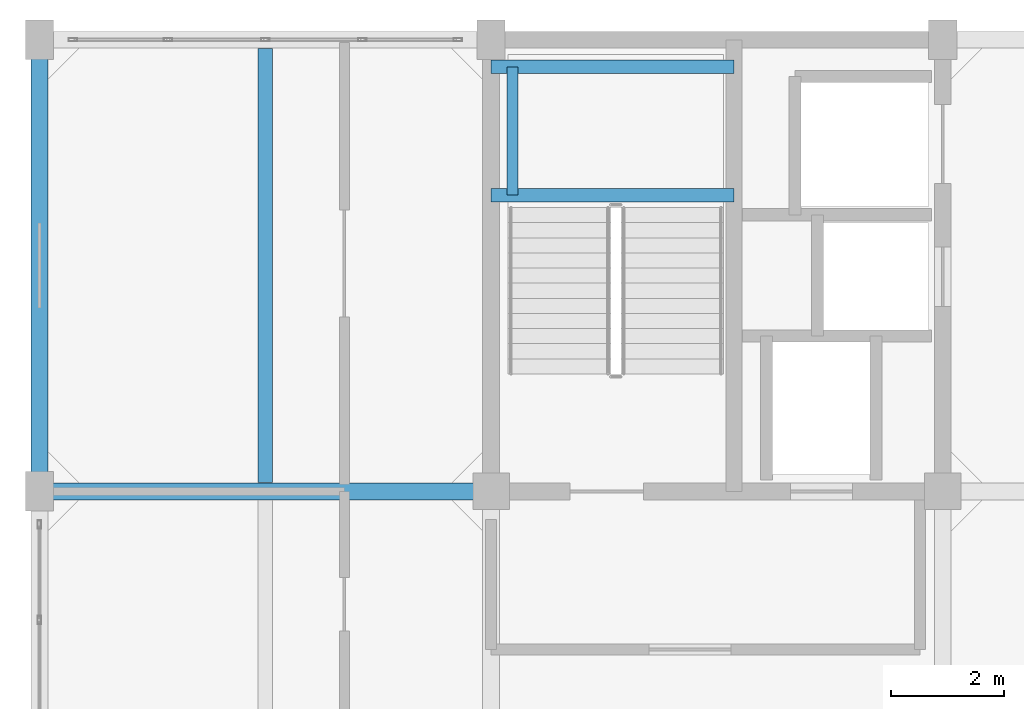
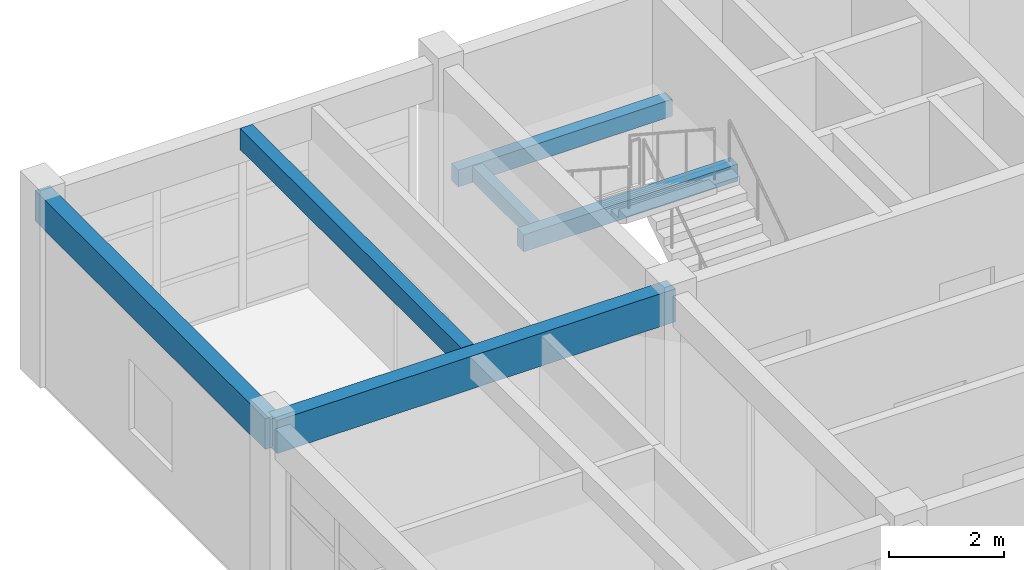
# One storey, part 9 of 18: 6 beams.
"""IFC4 building model written with IfcOpenShell, lengths in metres."""

from ifc_helpers import new_model, si_unit, direction, frame, origin, origin_2d, place, context, subcontext, project, spatial, rectangle, extrude, material, material_profile, profile_set, type_object, element, save


model = new_model("IFC4")

# Units and contexts
model_context = context("Model", 3, precision=1e-05, world=origin(), true_north=direction((0.0, 1.0)))
body_context = subcontext(model_context, "Body", "Model", "MODEL_VIEW")
ifc_project = project(units=[si_unit("LENGTHUNIT", "METRE"), si_unit("AREAUNIT", "SQUARE_METRE"), si_unit("VOLUMEUNIT", "CUBIC_METRE"), si_unit("PLANEANGLEUNIT", "RADIAN"), si_unit("MASSUNIT", "GRAM", prefix="KILO")], contexts=[model_context])

# Site, building, storey
site_placement = place(None, origin())
site = spatial("IfcSite", under=ifc_project, at=site_placement, CompositionType="ELEMENT")
building_placement = place(site_placement, origin())
building = spatial("IfcBuilding", under=site, at=building_placement, Name="Canggui Botanical Conservatory", CompositionType="ELEMENT")
storey_placement = place(building_placement, frame((0.0, 0.0, 61.199951171875)))
storey = spatial("IfcBuildingStorey", under=building, at=storey_placement, Name="L15", CompositionType="ELEMENT", Elevation=61.199951171875)

# Beams
ifc_material = material(Name="Concrete C35", Category="concrete")
ifc_material_profile_1 = material_profile(ifc_material, rectangle(XDim=0.25, YDim=0.449951171875, at=origin_2d()), Name="RB 250x450")
ifc_profile_set_1 = profile_set([ifc_material_profile_1], Name="Concrete C35")
beam_type_1 = type_object("IfcBeamType", Name="BM-JST05", PredefinedType="JOIST", material=ifc_profile_set_1)
beam_1_placement = place(storey_placement, frame((150.0, 58.155029296875, 3.735107421875), z_axis=(0.0, 1.0, 0.0), x_axis=(-1.0, 0.0, 0.0)))
element("IfcBeam", 1, at=beam_1_placement, inside=storey, type_object=beam_type_1, Name="Secondary Floor Joist L15-1-3", PredefinedType="JOIST", context=body_context, shape_type="SweptSolid", body=[
    extrude(rectangle(XDim=0.25, YDim=0.449951171875, at=origin_2d()), origin(), (0.0, 0.0, 1.0), 7.68994140625),
])
ifc_material_profile_2 = material_profile(ifc_material, rectangle(XDim=0.300048828125, YDim=0.699951171875, at=origin_2d()), Name="RB 300x700")
ifc_profile_set_2 = profile_set([ifc_material_profile_2], Name="Concrete C35")
beam_type_2 = type_object("IfcBeamType", Name="BM-KL21", PredefinedType="BEAM", material=ifc_profile_set_2)
beam_2_placement = place(storey_placement, frame((146.0, 58.0, 3.610107421875), z_axis=(1.0, 0.0, 0.0), x_axis=(0.0, 1.0, 0.0)))
element("IfcBeam", 2, at=beam_2_placement, inside=storey, type_object=beam_type_2, Name="Frame Girder L15 Y58-1", PredefinedType="BEAM", context=body_context, shape_type="SweptSolid", body=[
    extrude(rectangle(XDim=0.300048828125, YDim=0.699951171875, at=origin_2d()), origin(), (0.0, 0.0, 1.0), 8.0),
])
ifc_material_profile_3 = material_profile(ifc_material, rectangle(XDim=0.300048828125, YDim=0.64990234375, at=origin_2d()), Name="RB 300x650")
ifc_profile_set_3 = profile_set([ifc_material_profile_3], Name="Concrete C35")
beam_type_3 = type_object("IfcBeamType", Name="BM-KL22", PredefinedType="BEAM", material=ifc_profile_set_3)
beam_3_placement = place(storey_placement, frame((146.0, 58.0, 3.635009765625), z_axis=(0.0, 1.0, 0.0), x_axis=(-1.0, 0.0, 0.0)))
element("IfcBeam", 3, at=beam_3_placement, inside=storey, type_object=beam_type_3, Name="Frame Girder L15 X146-3", PredefinedType="BEAM", context=body_context, shape_type="SweptSolid", body=[
    extrude(rectangle(XDim=0.300048828125, YDim=0.64990234375, at=origin_2d()), origin(), (0.0, 0.0, 1.0), 8.0),
])
ifc_material_profile_4 = material_profile(ifc_material, rectangle(XDim=0.239990234375, YDim=0.360107421875, at=origin_2d()), Name="RB 240x360")
ifc_profile_set_4 = profile_set([ifc_material_profile_4], Name="Concrete C35")
beam_type_4 = type_object("IfcBeamType", Name="BM-LIN01", PredefinedType="LINTEL", material=ifc_profile_set_4)
for number, where, z_axis, x_axis, name in (
    (4, (154.0, 63.24755859375, 1.719970703125), (1.0, 0.0, 0.0), (0.0, 1.0, 0.0), "ST-T2 Half-Landing Ledger Beam L15-1.1"),
    (5, (154.0, 65.52001953125, 1.719970703125), (1.0, 0.0, 0.0), (0.0, 1.0, 0.0), "ST-T2 Half-Landing Ledger Beam L15-1.2"),
):
    element("IfcBeam", number, at=place(storey_placement, frame(where, z_axis=z_axis, x_axis=x_axis)), inside=storey, type_object=beam_type_4, Name=name, PredefinedType="LINTEL", context=body_context, shape_type="SweptSolid", body=[
        extrude(rectangle(XDim=0.239990234375, YDim=0.360107421875, at=origin_2d()), origin(), (0.0, 0.0, 1.0), 4.300048828125),
    ])
ifc_material_profile_5 = material_profile(ifc_material, rectangle(XDim=0.199951171875, YDim=0.320068359375, at=origin_2d()), Name="RB 200x320")
ifc_profile_set_5 = profile_set([ifc_material_profile_5], Name="Concrete C35")
beam_type_5 = type_object("IfcBeamType", Name="BM-LIN02", PredefinedType="LINTEL", material=ifc_profile_set_5)
beam_4_placement = place(storey_placement, frame((154.3798828125, 63.24755859375, 1.719970703125), z_axis=(0.0, 1.0, 0.0), x_axis=(-1.0, 0.0, 0.0)))
element("IfcBeam", 6, at=beam_4_placement, inside=storey, type_object=beam_type_5, Name="ST-T2 Half-Landing Edge Ledger L15-1.3", PredefinedType="LINTEL", context=body_context, shape_type="SweptSolid", body=[
    extrude(rectangle(XDim=0.199951171875, YDim=0.320068359375, at=origin_2d()), origin(), (0.0, 0.0, 1.0), 2.2724609375),
])

save(model, "model.ifc")
